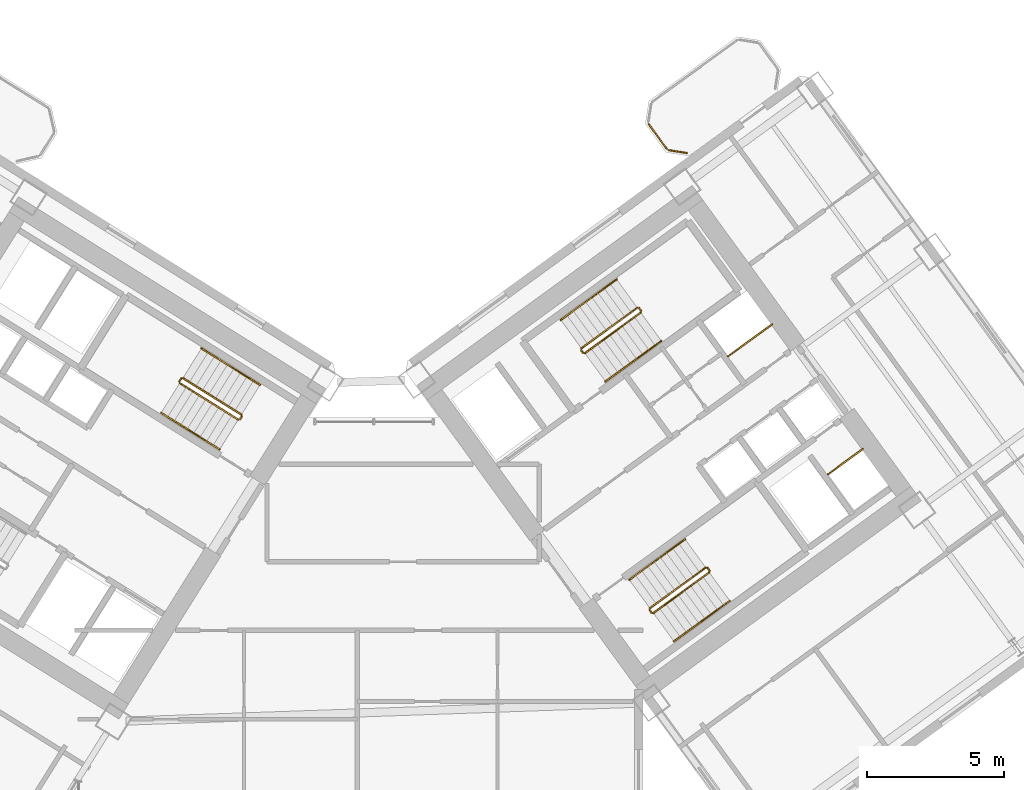
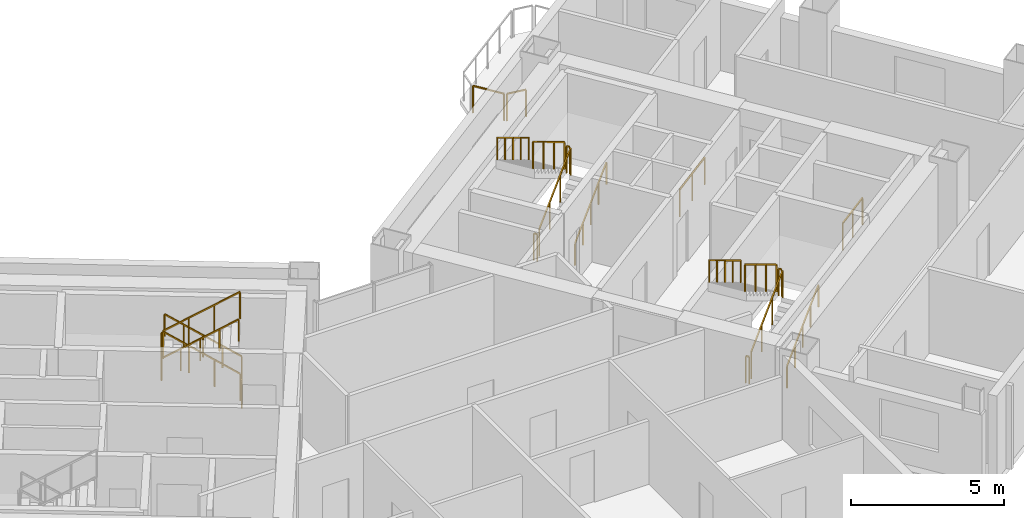
# One storey, part 23 of 24: 28 railings.
"""IFC4 building model written with IfcOpenShell, lengths in metres."""

from ifc_helpers import new_model, si_unit, direction, frame, origin, origin_2d, place, context, subcontext, project, spatial, rectangle, extrude, source, transform, mapped, material, type_object, element, save


model = new_model("IFC4")

# Units and contexts
model_context = context("Model", 3, precision=1e-05, world=origin(), true_north=direction((0.0, 1.0)))
body_context = subcontext(model_context, "Body", "Model", "MODEL_VIEW")
ifc_project = project(units=[si_unit("LENGTHUNIT", "METRE"), si_unit("AREAUNIT", "SQUARE_METRE"), si_unit("VOLUMEUNIT", "CUBIC_METRE"), si_unit("PLANEANGLEUNIT", "RADIAN"), si_unit("MASSUNIT", "GRAM", prefix="KILO")], contexts=[model_context])

# Site, building, storey
site_placement = place(None, origin())
site = spatial("IfcSite", under=ifc_project, at=site_placement, CompositionType="ELEMENT")
building_placement = place(site_placement, origin())
building = spatial("IfcBuilding", under=site, at=building_placement, Name="Tlacorven Tower", CompositionType="ELEMENT")
storey_placement = place(building_placement, frame((0.0, 0.0, 38.39990234375)))
storey = spatial("IfcBuildingStorey", under=building, at=storey_placement, Name="L09", CompositionType="ELEMENT", Elevation=38.39990234375)

# Railings
ifc_material = material(Name="Aluminium and painted steel balustrade", Category="steel")
railing_type_1 = type_object("IfcRailingType", Name="RL-GRD-1100", PredefinedType="GUARDRAIL", material=ifc_material)
shared_shape_1 = source(origin(), body_context, "Body", "SweptSolid", [
    extrude(rectangle(XDim=0.048095703125, YDim=0.048095703125, at=origin_2d()), frame((0.0, 0.0, 1.076171875), z_axis=(0.808947177504, 0.587881334972, 0.0), x_axis=(-0.587881334972, 0.808947177504, 0.0)), (0.0, 0.0, 1.0), 2.0),
    extrude(rectangle(XDim=0.0419921875, YDim=0.0419921875, at=origin_2d()), origin(), (0.0, 0.0, 1.0), 1.052001953125),
    extrude(rectangle(XDim=0.0419921875, YDim=0.0419921875, at=origin_2d()), frame((0.80908203125, 0.587890625, 0.0)), (0.0, 0.0, 1.0), 1.052001953125),
    extrude(rectangle(XDim=0.0419921875, YDim=0.0419921875, at=origin_2d()), frame((1.617919921875, 1.17578125, 0.0)), (0.0, 0.0, 1.0), 1.052001953125),
])
railing_1_placement = place(storey_placement, frame((55.506103515625, 25.438232421875, 0.0)))
element("IfcRailing", 1, at=railing_1_placement, inside=storey, type_object=railing_type_1, Name="L09 Electrical Riser E Shaft Guard 1", PredefinedType="GUARDRAIL", context=body_context, shape_type="MappedRepresentation", body=[
    mapped(shared_shape_1, transform((0.0, 0.0, 0.0), scale=1.0)),
])
shared_shape_2 = source(origin(), body_context, "Body", "SweptSolid", [
    extrude(rectangle(XDim=0.048095703125, YDim=0.048095703125, at=origin_2d()), frame((0.0, 0.0, 1.076171875), z_axis=(0.809029975545, 0.58776738483, 0.0), x_axis=(-0.58776738483, 0.809029975545, 0.0)), (0.0, 0.0, 1.0), 1.580078125),
    extrude(rectangle(XDim=0.0419921875, YDim=0.0419921875, at=origin_2d()), origin(), (0.0, 0.0, 1.0), 1.052001953125),
    extrude(rectangle(XDim=0.0419921875, YDim=0.0419921875, at=origin_2d()), frame((0.63916015625, 0.46435546875, 0.0)), (0.0, 0.0, 1.0), 1.052001953125),
    extrude(rectangle(XDim=0.0419921875, YDim=0.0419921875, at=origin_2d()), frame((1.2783203125, 0.9287109375, 0.0)), (0.0, 0.0, 1.0), 1.052001953125),
])
railing_2_placement = place(storey_placement, frame((59.160888671875, 21.122314453125, 0.0)))
element("IfcRailing", 2, at=railing_2_placement, inside=storey, type_object=railing_type_1, Name="L09 Smoke Riser E Shaft Guard 1", PredefinedType="GUARDRAIL", context=body_context, shape_type="MappedRepresentation", body=[
    mapped(shared_shape_2, transform((0.0, 0.0, 0.0), scale=1.0)),
])
railing_type_2 = type_object("IfcRailingType", Name="RL-BAL-1100", PredefinedType="BALUSTRADE", material=ifc_material)
shared_shape_3 = source(origin(), body_context, "Body", "SweptSolid", [
    extrude(rectangle(XDim=0.048095703125, YDim=0.048095703125, at=origin_2d()), frame((0.0, 0.0, 1.076171875), z_axis=(-0.987718317463, 0.156245081039, 0.0), x_axis=(-0.156245081039, -0.987718317463, 0.0)), (0.0, 0.0, 1.0), 0.66552734375),
    extrude(rectangle(XDim=0.0419921875, YDim=0.0419921875, at=origin_2d()), origin(), (0.0, 0.0, 1.0), 1.052001953125),
    extrude(rectangle(XDim=0.0419921875, YDim=0.0419921875, at=origin_2d()), frame((-0.657470703125, 0.10400390625, 0.0)), (0.0, 0.0, 1.0), 1.052001953125),
])
railing_3_placement = place(storey_placement, frame((54.00341796875, 32.8759765625, 0.0)))
element("IfcRailing", 3, at=railing_3_placement, inside=storey, type_object=railing_type_2, Name="BAL-L09-E-IN Guard Railing 1", PredefinedType="BALUSTRADE", context=body_context, shape_type="MappedRepresentation", body=[
    mapped(shared_shape_3, transform((0.0, 0.0, 0.0), scale=1.0)),
])
shared_shape_4 = source(origin(), body_context, "Body", "SweptSolid", [
    extrude(rectangle(XDim=0.048095703125, YDim=0.048095703125, at=origin_2d()), frame((0.0, 0.0, 1.076171875), z_axis=(-0.587740817519, 0.809049276263, 0.0), x_axis=(-0.809049276263, -0.587740817519, 0.0)), (0.0, 0.0, 1.0), 1.112060546875),
    extrude(rectangle(XDim=0.0419921875, YDim=0.0419921875, at=origin_2d()), origin(), (0.0, 0.0, 1.0), 1.052001953125),
    extrude(rectangle(XDim=0.0419921875, YDim=0.0419921875, at=origin_2d()), frame((-0.653564453125, 0.899658203125, 0.0)), (0.0, 0.0, 1.0), 1.052001953125),
])
railing_4_placement = place(storey_placement, frame((53.26708984375, 33.0283203125, 0.0)))
element("IfcRailing", 4, at=railing_4_placement, inside=storey, type_object=railing_type_2, Name="BAL-L09-E-IN Guard Railing 2", PredefinedType="BALUSTRADE", context=body_context, shape_type="MappedRepresentation", body=[
    mapped(shared_shape_4, transform((0.0, 0.0, 0.0), scale=1.0)),
])
shared_shape_5 = source(origin(), body_context, "Body", "SweptSolid", [
    extrude(rectangle(XDim=0.048095703125, YDim=0.048095703125, at=origin_2d()), frame((0.0, 0.0, 1.076171875), z_axis=(-0.530546985787, -0.847655529016, 0.0), x_axis=(0.847655529016, -0.530546985787, 0.0)), (0.0, 0.0, 1.0), 0.1201171875),
    extrude(rectangle(XDim=0.0419921875, YDim=0.0419921875, at=origin_2d()), origin(), (0.0, 0.0, 1.0), 1.052001953125),
    extrude(rectangle(XDim=0.0419921875, YDim=0.0419921875, at=origin_2d()), frame((-0.063720703125, -0.101806640625, 0.0)), (0.0, 0.0, 1.0), 1.052001953125),
])
railing_5_placement = place(storey_placement, frame((37.728271484375, 23.24072265625, 0.0)))
element("IfcRailing", 5, at=railing_5_placement, inside=storey, type_object=railing_type_1, Name="L09 ST-W2 stair guard 4", PredefinedType="GUARDRAIL", context=body_context, shape_type="MappedRepresentation", body=[
    mapped(shared_shape_5, transform((0.0, 0.0, 0.0), scale=1.0)),
])
railing_type_3 = type_object("IfcRailingType", Name="RL-HND-0900", PredefinedType="HANDRAIL", material=ifc_material)
shared_shape_6 = source(origin(), body_context, "Body", "SweptSolid", [
    extrude(rectangle(XDim=0.048095703125, YDim=0.048095703125, at=origin_2d()), frame((0.0, 0.0, 0.8759765625), z_axis=(-0.713359751793, 0.4457479829, 0.540764828981), x_axis=(-0.529911857636, -0.848052724267, 0.0)), (0.0, 0.0, 1.0), 1.498046875),
    extrude(rectangle(XDim=0.0419921875, YDim=0.0419921875, at=origin_2d()), origin(), (0.0, 0.0, 1.0), 0.851806640625),
    extrude(rectangle(XDim=0.0419921875, YDim=0.0419921875, at=origin_2d()), frame((-0.5341796875, 0.333984375, 0.405029296875)), (0.0, 0.0, 1.0), 0.851806640625),
    extrude(rectangle(XDim=0.0419921875, YDim=0.0419921875, at=origin_2d()), frame((-1.068603515625, 0.667724609375, 0.81005859375)), (0.0, 0.0, 1.0), 0.851806640625),
])
railing_6_placement = place(storey_placement, frame((37.322021484375, 25.062744140625, 0.989990234375)))
element("IfcRailing", 6, at=railing_6_placement, inside=storey, type_object=railing_type_3, Name="L09 ST-W2 stair handrail 2", PredefinedType="HANDRAIL", context=body_context, shape_type="MappedRepresentation", body=[
    mapped(shared_shape_6, transform((0.0, 0.0, 0.0), scale=1.0)),
])
shared_shape_7 = source(origin(), body_context, "Body", "SweptSolid", [
    extrude(rectangle(XDim=0.048095703125, YDim=0.048095703125, at=origin_2d()), frame((0.0, 0.0, 0.8759765625), z_axis=(0.713359751793, -0.4457479829, 0.540764828981), x_axis=(0.529911857636, 0.848052724267, 0.0)), (0.0, 0.0, 1.0), 1.498046875),
    extrude(rectangle(XDim=0.0419921875, YDim=0.0419921875, at=origin_2d()), origin(), (0.0, 0.0, 1.0), 0.851806640625),
    extrude(rectangle(XDim=0.0419921875, YDim=0.0419921875, at=origin_2d()), frame((0.5341796875, -0.333984375, 0.405029296875)), (0.0, 0.0, 1.0), 0.851806640625),
    extrude(rectangle(XDim=0.0419921875, YDim=0.0419921875, at=origin_2d()), frame((1.068603515625, -0.667724609375, 0.81005859375)), (0.0, 0.0, 1.0), 0.851806640625),
])
for number, where, name in (
    (7, (34.7802734375, 23.372802734375, 1.97998046875), "L09 ST-W2 stair handrail 3"),
    (8, (35.848876953125, 22.705078125, 2.7900390625), "L09 ST-W2 stair handrail 4"),
):
    element("IfcRailing", number, at=place(storey_placement, frame(where)), inside=storey, type_object=railing_type_3, Name=name, PredefinedType="HANDRAIL", context=body_context, shape_type="MappedRepresentation", body=[
        mapped(shared_shape_7, transform((0.0, 0.0, 0.0), scale=1.0)),
    ])
shared_shape_8 = source(origin(), body_context, "Body", "SweptSolid", [
    extrude(rectangle(XDim=0.048095703125, YDim=0.048095703125, at=origin_2d()), frame((0.0, 0.0, 1.076171875), z_axis=(-0.713351164325, 0.445793541512, 0.540738601085), x_axis=(-0.529955395941, -0.84802551749, 0.0)), (0.0, 0.0, 1.0), 2.99560546875),
    extrude(rectangle(XDim=0.0419921875, YDim=0.0419921875, at=origin_2d()), origin(), (0.0, 0.0, 1.0), 1.052001953125),
    extrude(rectangle(XDim=0.0419921875, YDim=0.0419921875, at=origin_2d()), frame((-0.71240234375, 0.445068359375, 0.5400390625)), (0.0, 0.0, 1.0), 1.052001953125),
    extrude(rectangle(XDim=0.0419921875, YDim=0.0419921875, at=origin_2d()), frame((-1.424560546875, 0.890380859375, 1.079833984375)), (0.0, 0.0, 1.0), 1.052001953125),
    extrude(rectangle(XDim=0.0419921875, YDim=0.0419921875, at=origin_2d()), frame((-2.136962890625, 1.33544921875, 1.619873046875)), (0.0, 0.0, 1.0), 1.052001953125),
])
railing_7_placement = place(storey_placement, frame((37.712158203125, 23.3095703125, 0.18017578125)))
element("IfcRailing", 9, at=railing_7_placement, inside=storey, type_object=railing_type_1, Name="L09 ST-W2 stair guard 1", PredefinedType="GUARDRAIL", context=body_context, shape_type="MappedRepresentation", body=[
    mapped(shared_shape_8, transform((0.0, 0.0, 0.0), scale=1.0)),
])
shared_shape_9 = source(origin(), body_context, "Body", "SweptSolid", [
    extrude(rectangle(XDim=0.048095703125, YDim=0.048095703125, at=origin_2d()), frame((0.0, 0.0, 0.8759765625), z_axis=(-0.713422621445, 0.445787267455, 0.540649494022), x_axis=(-0.529911857636, -0.848052724267, 0.0)), (0.0, 0.0, 1.0), 1.497802734375),
    extrude(rectangle(XDim=0.0419921875, YDim=0.0419921875, at=origin_2d()), origin(), (0.0, 0.0, 1.0), 0.851806640625),
    extrude(rectangle(XDim=0.0419921875, YDim=0.0419921875, at=origin_2d()), frame((-0.5341796875, 0.333984375, 0.40478515625)), (0.0, 0.0, 1.0), 0.851806640625),
    extrude(rectangle(XDim=0.0419921875, YDim=0.0419921875, at=origin_2d()), frame((-1.068603515625, 0.667724609375, 0.809814453125)), (0.0, 0.0, 1.0), 0.851806640625),
])
railing_8_placement = place(storey_placement, frame((38.390625, 24.39501953125, 0.18017578125)))
element("IfcRailing", 10, at=railing_8_placement, inside=storey, type_object=railing_type_3, Name="L09 ST-W2 stair handrail 1", PredefinedType="HANDRAIL", context=body_context, shape_type="MappedRepresentation", body=[
    mapped(shared_shape_9, transform((0.0, 0.0, 0.0), scale=1.0)),
])
shared_shape_10 = source(origin(), body_context, "Body", "SweptSolid", [
    extrude(rectangle(XDim=0.048095703125, YDim=0.048095703125, at=origin_2d()), frame((0.0, 0.0, 1.076171875), z_axis=(-0.531462422766, -0.847081869236, 0.0), x_axis=(0.847081869236, -0.531462422766, 0.0)), (0.0, 0.0, 1.0), 0.119873046875),
    extrude(rectangle(XDim=0.0419921875, YDim=0.0419921875, at=origin_2d()), origin(), (0.0, 0.0, 1.0), 1.052001953125),
    extrude(rectangle(XDim=0.0419921875, YDim=0.0419921875, at=origin_2d()), frame((-0.063720703125, -0.1015625, 0.0)), (0.0, 0.0, 1.0), 1.052001953125),
])
railing_9_placement = place(storey_placement, frame((35.50634765625, 24.62890625, 1.800048828125)))
element("IfcRailing", 11, at=railing_9_placement, inside=storey, type_object=railing_type_1, Name="L09 ST-W2 stair guard 2", PredefinedType="GUARDRAIL", context=body_context, shape_type="MappedRepresentation", body=[
    mapped(shared_shape_10, transform((0.0, 0.0, 0.0), scale=1.0)),
])
shared_shape_11 = source(origin(), body_context, "Body", "SweptSolid", [
    extrude(rectangle(XDim=0.048095703125, YDim=0.048095703125, at=origin_2d()), frame((0.0, 0.0, 1.076171875), z_axis=(0.713385662783, -0.445682681033, 0.540784470897), x_axis=(0.52984217967, 0.848096259066, 0.0)), (0.0, 0.0, 1.0), 2.995849609375),
    extrude(rectangle(XDim=0.0419921875, YDim=0.0419921875, at=origin_2d()), origin(), (0.0, 0.0, 1.0), 1.052001953125),
    extrude(rectangle(XDim=0.0419921875, YDim=0.0419921875, at=origin_2d()), frame((0.71240234375, -0.445068359375, 0.5400390625)), (0.0, 0.0, 1.0), 1.052001953125),
    extrude(rectangle(XDim=0.0419921875, YDim=0.0419921875, at=origin_2d()), frame((1.4248046875, -0.89013671875, 1.080078125)), (0.0, 0.0, 1.0), 1.052001953125),
    extrude(rectangle(XDim=0.0419921875, YDim=0.0419921875, at=origin_2d()), frame((2.13720703125, -1.335205078125, 1.6201171875)), (0.0, 0.0, 1.0), 1.052001953125),
])
railing_10_placement = place(storey_placement, frame((35.45849609375, 24.458251953125, 1.97998046875)))
element("IfcRailing", 12, at=railing_10_placement, inside=storey, type_object=railing_type_1, Name="L09 ST-W2 stair guard 3", PredefinedType="GUARDRAIL", context=body_context, shape_type="MappedRepresentation", body=[
    mapped(shared_shape_11, transform((0.0, 0.0, 0.0), scale=1.0)),
])
shared_shape_12 = source(origin(), body_context, "Body", "SweptSolid", [
    extrude(rectangle(XDim=0.048095703125, YDim=0.048095703125, at=origin_2d()), frame((0.0, 0.0, 1.076171875), z_axis=(-0.587567097037, 0.809175448515, 0.0), x_axis=(-0.809175448515, -0.587567097037, 0.0)), (0.0, 0.0, 1.0), 0.1201171875),
    extrude(rectangle(XDim=0.0419921875, YDim=0.0419921875, at=origin_2d()), origin(), (0.0, 0.0, 1.0), 1.052001953125),
    extrude(rectangle(XDim=0.0419921875, YDim=0.0419921875, at=origin_2d()), frame((-0.070556640625, 0.09716796875, 0.0)), (0.0, 0.0, 1.0), 1.052001953125),
])
for number, where, name in (
    (13, (54.8310546875, 17.605712890625, 1.800048828125), "L09 ST-E2 stair guard 2"),
    (14, (52.71142578125, 16.065673828125, 0.0), "L09 ST-E2 stair guard 4"),
):
    element("IfcRailing", number, at=place(storey_placement, frame(where)), inside=storey, type_object=railing_type_1, Name=name, PredefinedType="GUARDRAIL", context=body_context, shape_type="MappedRepresentation", body=[
        mapped(shared_shape_12, transform((0.0, 0.0, 0.0), scale=1.0)),
    ])
shared_shape_13 = source(origin(), body_context, "Body", "SweptSolid", [
    extrude(rectangle(XDim=0.048095703125, YDim=0.048095703125, at=origin_2d()), frame((0.0, 0.0, 1.076171875), z_axis=(-0.587201422542, 0.809440849824, 0.0), x_axis=(-0.809440849824, -0.587201422542, 0.0)), (0.0, 0.0, 1.0), 0.11962890625),
    extrude(rectangle(XDim=0.0419921875, YDim=0.0419921875, at=origin_2d()), origin(), (0.0, 0.0, 1.0), 1.052001953125),
    extrude(rectangle(XDim=0.0419921875, YDim=0.0419921875, at=origin_2d()), frame((-0.0703125, 0.096923828125, 0.0)), (0.0, 0.0, 1.0), 1.052001953125),
])
for number, where, name in (
    (15, (52.326904296875, 27.10888671875, 1.800048828125), "L09 ST-E1 stair guard 2"),
    (16, (50.207275390625, 25.56884765625, 0.0), "L09 ST-E1 stair guard 4"),
):
    element("IfcRailing", number, at=place(storey_placement, frame(where)), inside=storey, type_object=railing_type_1, Name=name, PredefinedType="GUARDRAIL", context=body_context, shape_type="MappedRepresentation", body=[
        mapped(shared_shape_13, transform((0.0, 0.0, 0.0), scale=1.0)),
    ])
shared_shape_14 = source(origin(), body_context, "Body", "SweptSolid", [
    extrude(rectangle(XDim=0.048095703125, YDim=0.048095703125, at=origin_2d()), frame((0.0, 0.0, 1.076171875), z_axis=(-0.680488636597, -0.494434078831, 0.540805100894), x_axis=(0.5878087079, -0.808999952359, 0.0)), (0.0, 0.0, 1.0), 2.995849609375),
    extrude(rectangle(XDim=0.0419921875, YDim=0.0419921875, at=origin_2d()), origin(), (0.0, 0.0, 1.0), 1.052001953125),
    extrude(rectangle(XDim=0.0419921875, YDim=0.0419921875, at=origin_2d()), frame((-0.679443359375, -0.49365234375, 0.5400390625)), (0.0, 0.0, 1.0), 1.052001953125),
    extrude(rectangle(XDim=0.0419921875, YDim=0.0419921875, at=origin_2d()), frame((-1.359130859375, -0.987548828125, 1.080078125)), (0.0, 0.0, 1.0), 1.052001953125),
    extrude(rectangle(XDim=0.0419921875, YDim=0.0419921875, at=origin_2d()), frame((-2.03857421875, -1.481201171875, 1.6201171875)), (0.0, 0.0, 1.0), 1.052001953125),
])
railing_11_placement = place(storey_placement, frame((52.1865234375, 27.217041015625, 1.97998046875)))
element("IfcRailing", 17, at=railing_11_placement, inside=storey, type_object=railing_type_1, Name="L09 ST-E1 stair guard 3", PredefinedType="GUARDRAIL", context=body_context, shape_type="MappedRepresentation", body=[
    mapped(shared_shape_14, transform((0.0, 0.0, 0.0), scale=1.0)),
])
shared_shape_15 = source(origin(), body_context, "Body", "SweptSolid", [
    extrude(rectangle(XDim=0.048095703125, YDim=0.048095703125, at=origin_2d()), frame((0.0, 0.0, 0.8759765625), z_axis=(0.680516055757, 0.494372502302, 0.540826891737), x_axis=(-0.587745292299, 0.809046025502, 0.0)), (0.0, 0.0, 1.0), 1.497802734375),
    extrude(rectangle(XDim=0.0419921875, YDim=0.0419921875, at=origin_2d()), origin(), (0.0, 0.0, 1.0), 0.851806640625),
    extrude(rectangle(XDim=0.0419921875, YDim=0.0419921875, at=origin_2d()), frame((0.509765625, 0.3701171875, 0.405029296875)), (0.0, 0.0, 1.0), 0.851806640625),
    extrude(rectangle(XDim=0.0419921875, YDim=0.0419921875, at=origin_2d()), frame((1.019287109375, 0.740478515625, 0.81005859375)), (0.0, 0.0, 1.0), 0.851806640625),
])
railing_12_placement = place(storey_placement, frame((54.552978515625, 15.759765625, 0.989990234375)))
element("IfcRailing", 18, at=railing_12_placement, inside=storey, type_object=railing_type_3, Name="L09 ST-E2 stair handrail 2", PredefinedType="HANDRAIL", context=body_context, shape_type="MappedRepresentation", body=[
    mapped(shared_shape_15, transform((0.0, 0.0, 0.0), scale=1.0)),
])
shared_shape_16 = source(origin(), body_context, "Body", "SweptSolid", [
    extrude(rectangle(XDim=0.048095703125, YDim=0.048095703125, at=origin_2d()), frame((0.0, 0.0, 0.8759765625), z_axis=(0.680548719995, 0.49444080854, 0.540723336433), x_axis=(-0.587779977844, 0.80902082646, 0.0)), (0.0, 0.0, 1.0), 1.498046875),
    extrude(rectangle(XDim=0.0419921875, YDim=0.0419921875, at=origin_2d()), origin(), (0.0, 0.0, 1.0), 0.851806640625),
    extrude(rectangle(XDim=0.0419921875, YDim=0.0419921875, at=origin_2d()), frame((0.509765625, 0.370361328125, 0.405029296875)), (0.0, 0.0, 1.0), 0.851806640625),
    extrude(rectangle(XDim=0.0419921875, YDim=0.0419921875, at=origin_2d()), frame((1.01953125, 0.74072265625, 0.81005859375)), (0.0, 0.0, 1.0), 0.851806640625),
])
railing_13_placement = place(storey_placement, frame((52.048828125, 25.2626953125, 0.989990234375)))
element("IfcRailing", 19, at=railing_13_placement, inside=storey, type_object=railing_type_3, Name="L09 ST-E1 stair handrail 2", PredefinedType="HANDRAIL", context=body_context, shape_type="MappedRepresentation", body=[
    mapped(shared_shape_16, transform((0.0, 0.0, 0.0), scale=1.0)),
])
shared_shape_17 = source(origin(), body_context, "Body", "SweptSolid", [
    extrude(rectangle(XDim=0.048095703125, YDim=0.048095703125, at=origin_2d()), frame((0.0, 0.0, 0.8759765625), z_axis=(-0.680603554404, -0.494317667746, 0.540766904577), x_axis=(0.587653156371, -0.809112951205, 0.0)), (0.0, 0.0, 1.0), 1.498046875),
    extrude(rectangle(XDim=0.0419921875, YDim=0.0419921875, at=origin_2d()), origin(), (0.0, 0.0, 1.0), 0.851806640625),
    extrude(rectangle(XDim=0.0419921875, YDim=0.0419921875, at=origin_2d()), frame((-0.509765625, -0.3701171875, 0.405029296875)), (0.0, 0.0, 1.0), 0.851806640625),
    extrude(rectangle(XDim=0.0419921875, YDim=0.0419921875, at=origin_2d()), frame((-1.01953125, -0.740478515625, 0.81005859375)), (0.0, 0.0, 1.0), 0.851806640625),
])
railing_14_placement = place(storey_placement, frame((51.434326171875, 28.25244140625, 1.97998046875)))
element("IfcRailing", 20, at=railing_14_placement, inside=storey, type_object=railing_type_3, Name="L09 ST-E1 stair handrail 3", PredefinedType="HANDRAIL", context=body_context, shape_type="MappedRepresentation", body=[
    mapped(shared_shape_17, transform((0.0, 0.0, 0.0), scale=1.0)),
])
shared_shape_18 = source(origin(), body_context, "Body", "SweptSolid", [
    extrude(rectangle(XDim=0.048095703125, YDim=0.048095703125, at=origin_2d()), frame((0.0, 0.0, 0.8759765625), z_axis=(-0.680461216233, -0.494495647917, 0.540783309093), x_axis=(0.587872112667, -0.808953879494, 0.0)), (0.0, 0.0, 1.0), 1.498046875),
    extrude(rectangle(XDim=0.0419921875, YDim=0.0419921875, at=origin_2d()), origin(), (0.0, 0.0, 1.0), 0.851806640625),
    extrude(rectangle(XDim=0.0419921875, YDim=0.0419921875, at=origin_2d()), frame((-0.509765625, -0.370361328125, 0.405029296875)), (0.0, 0.0, 1.0), 0.851806640625),
    extrude(rectangle(XDim=0.0419921875, YDim=0.0419921875, at=origin_2d()), frame((-1.019287109375, -0.74072265625, 0.81005859375)), (0.0, 0.0, 1.0), 0.851806640625),
])
for number, where, name in (
    (21, (50.414794921875, 27.511962890625, 2.7900390625), "L09 ST-E1 stair handrail 4"),
    (22, (52.9189453125, 18.0087890625, 2.7900390625), "L09 ST-E2 stair handrail 4"),
):
    element("IfcRailing", number, at=place(storey_placement, frame(where)), inside=storey, type_object=railing_type_3, Name=name, PredefinedType="HANDRAIL", context=body_context, shape_type="MappedRepresentation", body=[
        mapped(shared_shape_18, transform((0.0, 0.0, 0.0), scale=1.0)),
    ])
shared_shape_19 = source(origin(), body_context, "Body", "SweptSolid", [
    extrude(rectangle(XDim=0.048095703125, YDim=0.048095703125, at=origin_2d()), frame((0.0, 0.0, 1.076171875), z_axis=(0.680518627673, 0.494455869951, 0.540747436481), x_axis=(-0.5878087079, 0.808999952359, 0.0)), (0.0, 0.0, 1.0), 2.99560546875),
    extrude(rectangle(XDim=0.0419921875, YDim=0.0419921875, at=origin_2d()), origin(), (0.0, 0.0, 1.0), 1.052001953125),
    extrude(rectangle(XDim=0.0419921875, YDim=0.0419921875, at=origin_2d()), frame((0.679443359375, 0.49365234375, 0.5400390625)), (0.0, 0.0, 1.0), 1.052001953125),
    extrude(rectangle(XDim=0.0419921875, YDim=0.0419921875, at=origin_2d()), frame((1.359130859375, 0.987548828125, 1.079833984375)), (0.0, 0.0, 1.0), 1.052001953125),
    extrude(rectangle(XDim=0.0419921875, YDim=0.0419921875, at=origin_2d()), frame((2.03857421875, 1.481201171875, 1.619873046875)), (0.0, 0.0, 1.0), 1.052001953125),
])
railing_15_placement = place(storey_placement, frame((50.27734375, 25.557861328125, 0.18017578125)))
element("IfcRailing", 23, at=railing_15_placement, inside=storey, type_object=railing_type_1, Name="L09 ST-E1 stair guard 1", PredefinedType="GUARDRAIL", context=body_context, shape_type="MappedRepresentation", body=[
    mapped(shared_shape_19, transform((0.0, 0.0, 0.0), scale=1.0)),
])
shared_shape_20 = source(origin(), body_context, "Body", "SweptSolid", [
    extrude(rectangle(XDim=0.048095703125, YDim=0.048095703125, at=origin_2d()), frame((0.0, 0.0, 0.8759765625), z_axis=(0.680576044605, 0.494416082224, 0.54071155448), x_axis=(-0.587745292299, 0.809046025502, 0.0)), (0.0, 0.0, 1.0), 1.497802734375),
    extrude(rectangle(XDim=0.0419921875, YDim=0.0419921875, at=origin_2d()), origin(), (0.0, 0.0, 1.0), 0.851806640625),
    extrude(rectangle(XDim=0.0419921875, YDim=0.0419921875, at=origin_2d()), frame((0.509765625, 0.3701171875, 0.40478515625)), (0.0, 0.0, 1.0), 0.851806640625),
    extrude(rectangle(XDim=0.0419921875, YDim=0.0419921875, at=origin_2d()), frame((1.019287109375, 0.740478515625, 0.809814453125)), (0.0, 0.0, 1.0), 0.851806640625),
])
railing_16_placement = place(storey_placement, frame((51.029541015625, 24.522216796875, 0.18017578125)))
element("IfcRailing", 24, at=railing_16_placement, inside=storey, type_object=railing_type_3, Name="L09 ST-E1 stair handrail 1", PredefinedType="HANDRAIL", context=body_context, shape_type="MappedRepresentation", body=[
    mapped(shared_shape_20, transform((0.0, 0.0, 0.0), scale=1.0)),
])
shared_shape_21 = source(origin(), body_context, "Body", "SweptSolid", [
    extrude(rectangle(XDim=0.048095703125, YDim=0.048095703125, at=origin_2d()), frame((0.0, 0.0, 1.076171875), z_axis=(-0.680532390839, -0.494406659708, 0.54077511024), x_axis=(0.587762637553, -0.809033424462, 0.0)), (0.0, 0.0, 1.0), 2.995849609375),
    extrude(rectangle(XDim=0.0419921875, YDim=0.0419921875, at=origin_2d()), origin(), (0.0, 0.0, 1.0), 1.052001953125),
    extrude(rectangle(XDim=0.0419921875, YDim=0.0419921875, at=origin_2d()), frame((-0.6796875, -0.49365234375, 0.5400390625)), (0.0, 0.0, 1.0), 1.052001953125),
    extrude(rectangle(XDim=0.0419921875, YDim=0.0419921875, at=origin_2d()), frame((-1.359130859375, -0.987548828125, 1.080078125)), (0.0, 0.0, 1.0), 1.052001953125),
    extrude(rectangle(XDim=0.0419921875, YDim=0.0419921875, at=origin_2d()), frame((-2.038818359375, -1.481201171875, 1.6201171875)), (0.0, 0.0, 1.0), 1.052001953125),
])
railing_17_placement = place(storey_placement, frame((54.690673828125, 17.7138671875, 1.97998046875)))
element("IfcRailing", 25, at=railing_17_placement, inside=storey, type_object=railing_type_1, Name="L09 ST-E2 stair guard 3", PredefinedType="GUARDRAIL", context=body_context, shape_type="MappedRepresentation", body=[
    mapped(shared_shape_21, transform((0.0, 0.0, 0.0), scale=1.0)),
])
shared_shape_22 = source(origin(), body_context, "Body", "SweptSolid", [
    extrude(rectangle(XDim=0.048095703125, YDim=0.048095703125, at=origin_2d()), frame((0.0, 0.0, 0.8759765625), z_axis=(-0.680516055757, -0.494372502302, 0.540826891737), x_axis=(0.587745292299, -0.809046025502, 0.0)), (0.0, 0.0, 1.0), 1.497802734375),
    extrude(rectangle(XDim=0.0419921875, YDim=0.0419921875, at=origin_2d()), origin(), (0.0, 0.0, 1.0), 0.851806640625),
    extrude(rectangle(XDim=0.0419921875, YDim=0.0419921875, at=origin_2d()), frame((-0.509765625, -0.3701171875, 0.405029296875)), (0.0, 0.0, 1.0), 0.851806640625),
    extrude(rectangle(XDim=0.0419921875, YDim=0.0419921875, at=origin_2d()), frame((-1.019287109375, -0.740478515625, 0.81005859375)), (0.0, 0.0, 1.0), 0.851806640625),
])
railing_18_placement = place(storey_placement, frame((53.938232421875, 18.749267578125, 1.97998046875)))
element("IfcRailing", 26, at=railing_18_placement, inside=storey, type_object=railing_type_3, Name="L09 ST-E2 stair handrail 3", PredefinedType="HANDRAIL", context=body_context, shape_type="MappedRepresentation", body=[
    mapped(shared_shape_22, transform((0.0, 0.0, 0.0), scale=1.0)),
])
shared_shape_23 = source(origin(), body_context, "Body", "SweptSolid", [
    extrude(rectangle(XDim=0.048095703125, YDim=0.048095703125, at=origin_2d()), frame((0.0, 0.0, 1.076171875), z_axis=(0.680562380517, 0.494428447203, 0.540717446381), x_axis=(-0.587762637553, 0.809033424462, 0.0)), (0.0, 0.0, 1.0), 2.995849609375),
    extrude(rectangle(XDim=0.0419921875, YDim=0.0419921875, at=origin_2d()), origin(), (0.0, 0.0, 1.0), 1.052001953125),
    extrude(rectangle(XDim=0.0419921875, YDim=0.0419921875, at=origin_2d()), frame((0.6796875, 0.49365234375, 0.5400390625)), (0.0, 0.0, 1.0), 1.052001953125),
    extrude(rectangle(XDim=0.0419921875, YDim=0.0419921875, at=origin_2d()), frame((1.359130859375, 0.987548828125, 1.079833984375)), (0.0, 0.0, 1.0), 1.052001953125),
    extrude(rectangle(XDim=0.0419921875, YDim=0.0419921875, at=origin_2d()), frame((2.038818359375, 1.481201171875, 1.619873046875)), (0.0, 0.0, 1.0), 1.052001953125),
])
railing_19_placement = place(storey_placement, frame((52.78125, 16.0546875, 0.18017578125)))
element("IfcRailing", 27, at=railing_19_placement, inside=storey, type_object=railing_type_1, Name="L09 ST-E2 stair guard 1", PredefinedType="GUARDRAIL", context=body_context, shape_type="MappedRepresentation", body=[
    mapped(shared_shape_23, transform((0.0, 0.0, 0.0), scale=1.0)),
])
shared_shape_24 = source(origin(), body_context, "Body", "SweptSolid", [
    extrude(rectangle(XDim=0.048095703125, YDim=0.048095703125, at=origin_2d()), frame((0.0, 0.0, 0.8759765625), z_axis=(0.680521190579, 0.494539231669, 0.540667973449), x_axis=(-0.587872112667, 0.808953879494, 0.0)), (0.0, 0.0, 1.0), 1.497802734375),
    extrude(rectangle(XDim=0.0419921875, YDim=0.0419921875, at=origin_2d()), origin(), (0.0, 0.0, 1.0), 0.851806640625),
    extrude(rectangle(XDim=0.0419921875, YDim=0.0419921875, at=origin_2d()), frame((0.509765625, 0.370361328125, 0.40478515625)), (0.0, 0.0, 1.0), 0.851806640625),
    extrude(rectangle(XDim=0.0419921875, YDim=0.0419921875, at=origin_2d()), frame((1.019287109375, 0.74072265625, 0.809814453125)), (0.0, 0.0, 1.0), 0.851806640625),
])
railing_20_placement = place(storey_placement, frame((53.53369140625, 15.01904296875, 0.18017578125)))
element("IfcRailing", 28, at=railing_20_placement, inside=storey, type_object=railing_type_3, Name="L09 ST-E2 stair handrail 1", PredefinedType="HANDRAIL", context=body_context, shape_type="MappedRepresentation", body=[
    mapped(shared_shape_24, transform((0.0, 0.0, 0.0), scale=1.0)),
])

save(model, "model.ifc")
